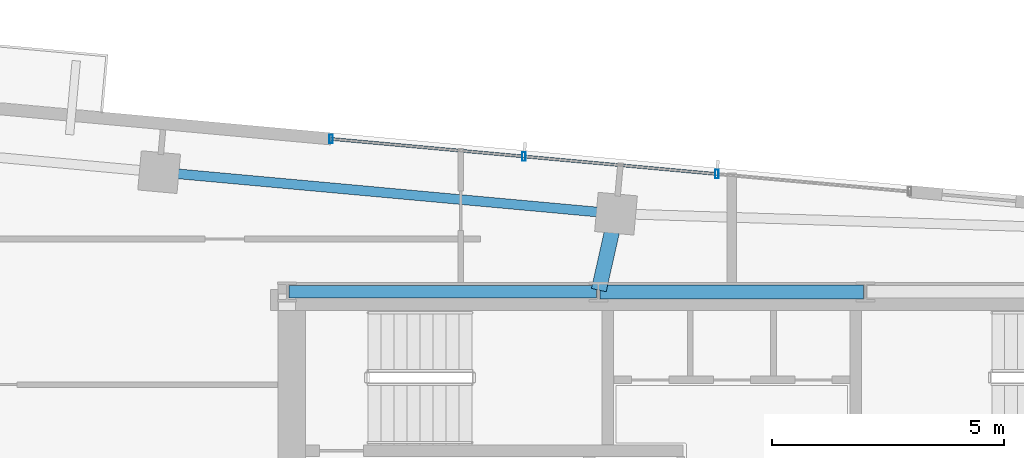
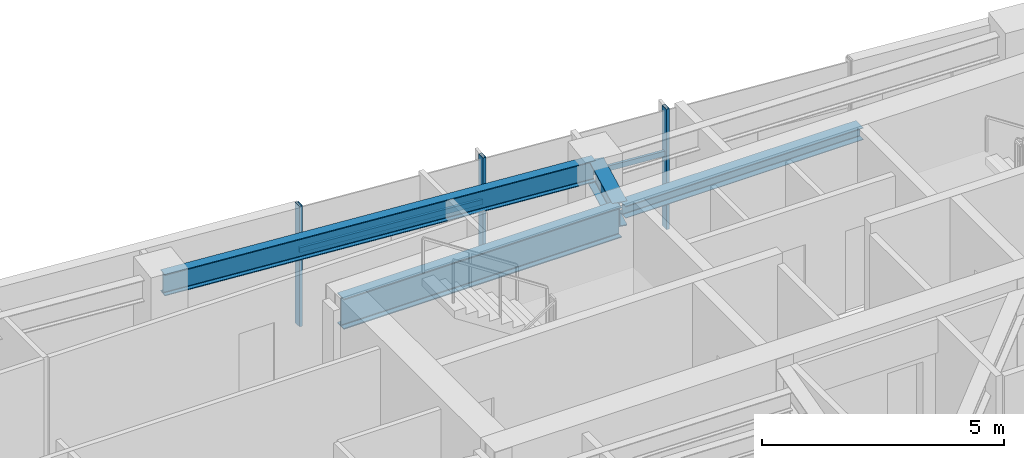
# One storey, part 10 of 22: 5 members, 4 beams, 1 element without a shape of its own.
"""IFC4 building model written with IfcOpenShell, lengths in metres."""

import ifcopenshell
import ifcopenshell.guid

model = None  # the IFC model being written
_history = None  # IfcOwnerHistory: only IFC2X3 demands one
_inside = {}  # id of a spatial element -> (the spatial element, [elements in it])
_under = {}  # id of a project, library or spatial element -> (it, [spatial elements below it])
_declared = {}  # id of a project -> (the project, [libraries it declares])
_typed = {}  # id of a type object -> (the type object, [elements of that type])
_made_of = {}  # id of a material, layer set ... -> (it, [elements and type objects made of it])


def new_model(schema):
    """Start an empty IFC model of exactly this schema.

    Asked for "IFC4X3", IfcOpenShell would pick the latest addendum, in which some entities
    have other attributes; the version numbers below select the first issue.
    IFC2X3 requires an IfcOwnerHistory on every rooted entity: one is made here for all.
    """
    global model, _history
    if schema == "IFC4X3":
        model = ifcopenshell.file(schema_version=(4, 3, 0, 0))
    else:
        model = ifcopenshell.file(schema=schema)
    _inside.clear()
    _under.clear()
    _declared.clear()
    _typed.clear()
    _made_of.clear()
    _history = None
    if model.schema == "IFC2X3":
        org = make("IfcOrganization", Name="unknown")
        user = make(
            "IfcPersonAndOrganization",
            ThePerson=make("IfcPerson", FamilyName="unknown"),
            TheOrganization=org,
        )
        app = make(
            "IfcApplication",
            ApplicationDeveloper=org,
            Version="unknown",
            ApplicationFullName="unknown",
            ApplicationIdentifier="unknown",
        )
        _history = make(
            "IfcOwnerHistory",
            OwningUser=user,
            OwningApplication=app,
            ChangeAction="ADDED",
            CreationDate=0,
        )
    return model


def make(cls, **values):
    """One entity of the class cls with the attributes given. An attribute that is None is left unset."""
    return model.create_entity(
        cls, **{name: value for name, value in values.items() if value is not None}
    )


def rooted(cls, **values):
    """An entity with a GlobalId (a new one), such as an element, a storey or a relation."""
    return make(cls, GlobalId=ifcopenshell.guid.new(), OwnerHistory=_history, **values)


def si_unit(unit_type, name, prefix=None):
    """IfcSIUnit, for example si_unit("LENGTHUNIT", "METRE", prefix="MILLI")."""
    return make("IfcSIUnit", UnitType=unit_type, Prefix=prefix, Name=name)


def assignment(units):
    """IfcUnitAssignment: the units of a project."""
    return None if units is None else make("IfcUnitAssignment", Units=units)


def point(xyz):
    """IfcCartesianPoint."""
    return None if xyz is None else make("IfcCartesianPoint", Coordinates=xyz)


def direction(xyz):
    """IfcDirection."""
    return None if xyz is None else make("IfcDirection", DirectionRatios=xyz)


def frame(location, z_axis=None, x_axis=None):
    """IfcAxis2Placement3D, a coordinate frame: its origin and axes. An axis left out is left unset."""
    return make(
        "IfcAxis2Placement3D",
        Location=point(location),
        Axis=direction(z_axis),
        RefDirection=direction(x_axis),
    )


def frame_2d(location, x_axis=None):
    """IfcAxis2Placement2D, a coordinate frame in the plane: its origin and x axis."""
    return make(
        "IfcAxis2Placement2D", Location=point(location), RefDirection=direction(x_axis)
    )


def origin():
    """The frame at (0, 0, 0) with its axes left unset."""
    return frame((0.0, 0.0, 0.0))


def origin_2d():
    """The frame at (0, 0) in the plane with its x axis left unset."""
    return frame_2d((0.0, 0.0))


def place(relative_to, where):
    """IfcLocalPlacement: puts the frame where relative to a parent placement (None: the world)."""
    return make(
        "IfcLocalPlacement", PlacementRelTo=relative_to, RelativePlacement=where
    )


def context(
    kind, dimensions, precision=None, world=None, true_north=None, identifier=None
):
    """IfcGeometricRepresentationContext, for example the 3D "Model" context."""
    return make(
        "IfcGeometricRepresentationContext",
        ContextIdentifier=identifier,
        ContextType=kind,
        CoordinateSpaceDimension=dimensions,
        Precision=precision,
        WorldCoordinateSystem=world,
        TrueNorth=true_north,
    )


def subcontext(parent, identifier, kind, view, scale=None):
    """IfcGeometricRepresentationSubContext, for example "Body" below "Model"."""
    return make(
        "IfcGeometricRepresentationSubContext",
        ContextIdentifier=identifier,
        ContextType=kind,
        ParentContext=parent,
        TargetScale=scale,
        TargetView=view,
    )


def project(units=None, contexts=None):
    """IfcProject with its units and contexts."""
    return rooted(
        "IfcProject",
        Name="project",
        RepresentationContexts=contexts,
        UnitsInContext=assignment(units),
    )


def spatial(cls, under=None, at=None, **own):
    """A site, building, storey or space (cls), placed at a placement, below another one or the project."""
    s = rooted(cls, ObjectPlacement=at, **own)
    if under is not None:
        _under.setdefault(under.id(), (under, []))[1].append(s)
    return s


def profile(cls, at=None, kind="AREA", **sizes):
    """A parametric profile (cls). Its sizes go by their IFC names, for example OverallWidth=200.0."""
    return make(cls, ProfileType=kind, Position=at, **sizes)


def hollow_rectangle(**sizes):
    """IfcRectangleHollowProfileDef."""
    return profile("IfcRectangleHollowProfileDef", **sizes)


def i_section(**sizes):
    """IfcIShapeProfileDef."""
    return profile("IfcIShapeProfileDef", **sizes)


def extrude(swept, where, along, depth):
    """IfcExtrudedAreaSolid: the profile swept, set in the frame where, extruded along a direction by depth."""
    return make(
        "IfcExtrudedAreaSolid",
        SweptArea=swept,
        Position=where,
        ExtrudedDirection=direction(along),
        Depth=depth,
    )


def shape(context_of_items, identifier, shape_type, items):
    """IfcShapeRepresentation: the items that make up one representation, for example the "Body"."""
    return make(
        "IfcShapeRepresentation",
        ContextOfItems=context_of_items,
        RepresentationIdentifier=identifier,
        RepresentationType=shape_type,
        Items=items,
    )


def source(mapping_origin, context_of_items, identifier, shape_type, items):
    """IfcRepresentationMap: a shape defined once, which mapped items show again and again."""
    return make(
        "IfcRepresentationMap",
        MappingOrigin=mapping_origin,
        MappedRepresentation=shape(context_of_items, identifier, shape_type, items),
    )


def transform(
    local_origin,
    x_axis=None,
    y_axis=None,
    z_axis=None,
    scale=None,
    scale2=None,
    scale3=None,
    uniform=True,
):
    """IfcCartesianTransformationOperator3D, or its non-uniform kind. x_axis, y_axis, z_axis: its Axis1, 2, 3."""
    if uniform:
        return make(
            "IfcCartesianTransformationOperator3D",
            Axis1=direction(x_axis),
            Axis2=direction(y_axis),
            LocalOrigin=point(local_origin),
            Scale=scale,
            Axis3=direction(z_axis),
        )
    return make(
        "IfcCartesianTransformationOperator3DnonUniform",
        Axis1=direction(x_axis),
        Axis2=direction(y_axis),
        LocalOrigin=point(local_origin),
        Scale=scale,
        Axis3=direction(z_axis),
        Scale2=scale2,
        Scale3=scale3,
    )


def mapped(mapping_source, mapping_target):
    """IfcMappedItem: shows the shape of a source again, moved by a transform."""
    return make(
        "IfcMappedItem", MappingSource=mapping_source, MappingTarget=mapping_target
    )


def material(Name=None, Category=None):
    """IfcMaterial."""
    return make("IfcMaterial", Name=Name, Category=Category)


def material_profile(
    of_material, cross_section, Name=None, Category=None, Priority=None
):
    """IfcMaterialProfile: a cross section and its material."""
    return make(
        "IfcMaterialProfile",
        Name=Name,
        Material=of_material,
        Profile=cross_section,
        Priority=Priority,
        Category=Category,
    )


def profile_set(profiles, Name=None, composite=None):
    """IfcMaterialProfileSet."""
    return make(
        "IfcMaterialProfileSet",
        Name=Name,
        MaterialProfiles=profiles,
        CompositeProfile=composite,
    )


def made_of(thing, what):
    """Note that an element or type object is made of a material, layer set ...; save() writes the relation."""
    if what is not None:
        _made_of.setdefault(what.id(), (what, []))[1].append(thing)
    return thing


def type_object(cls, material=None, **own):
    """A type object (cls), such as IfcWallType, which elements share."""
    return made_of(rooted(cls, **own), material)


def type_shapes(of_type, sources):
    """Give a type object the sources (RepresentationMaps) that its elements show as mapped items."""
    of_type.RepresentationMaps = sources


def element(
    cls,
    number,
    at=None,
    inside=None,
    cuts=None,
    type_object=None,
    material=None,
    context=None,
    identifier="Body",
    shape_type=None,
    held_by="IfcProductDefinitionShape",
    body=None,
    shapes=None,
    **own,
):
    """One element of the class cls, such as IfcWall. Its Tag is "e" and its number.

    at: its placement. inside: the storey or other place that contains it. cuts: it is an
    opening in that element (IfcRelVoidsElement). A single representation is given by context,
    identifier, shape_type and body (its items); several are given by shapes. held_by: the class
    of the entity that holds the representations. save() writes the other relations.
    """
    e = rooted(cls, Tag="e%d" % number, ObjectPlacement=at, **own)
    if body is not None:
        shapes = [shape(context, identifier, shape_type, body)]
    if shapes is not None:
        e.Representation = make(held_by, Representations=shapes)
    if inside is not None:
        _inside.setdefault(inside.id(), (inside, []))[1].append(e)
    if cuts is not None:
        rooted(
            "IfcRelVoidsElement", RelatingBuildingElement=cuts, RelatedOpeningElement=e
        )
    if type_object is not None:
        _typed.setdefault(type_object.id(), (type_object, []))[1].append(e)
    return made_of(e, material)


def aggregate(whole, parts):
    """IfcRelAggregates: a whole, such as a stair, and the parts it consists of."""
    return rooted("IfcRelAggregates", RelatingObject=whole, RelatedObjects=parts)


def save(model, path):
    """Write the relations noted so far, then the file.

    IfcRelAggregates (storeys below a building ...), IfcRelContainedInSpatialStructure (elements
    in a storey), IfcRelDefinesByType, IfcRelAssociatesMaterial and IfcRelDeclares: one each for
    every whole, place, type object, material and project.
    """
    for whole, parts in _under.values():
        aggregate(whole, parts)
    for where, things in _inside.values():
        rooted(
            "IfcRelContainedInSpatialStructure",
            RelatedElements=things,
            RelatingStructure=where,
        )
    for kind, things in _typed.values():
        rooted("IfcRelDefinesByType", RelatedObjects=things, RelatingType=kind)
    for what, things in _made_of.values():
        rooted("IfcRelAssociatesMaterial", RelatedObjects=things, RelatingMaterial=what)
    for by, libraries in _declared.values():
        rooted("IfcRelDeclares", RelatingContext=by, RelatedDefinitions=libraries)
    model.write(path)


model = new_model("IFC4")

# Units and contexts
model_context = context("Model", 3, precision=1e-05, world=origin(), true_north=direction((0.0, 1.0)))
body_context = subcontext(model_context, "Body", "Model", "MODEL_VIEW")
ifc_project = project(units=[si_unit("LENGTHUNIT", "METRE"), si_unit("AREAUNIT", "SQUARE_METRE"), si_unit("VOLUMEUNIT", "CUBIC_METRE"), si_unit("PLANEANGLEUNIT", "RADIAN"), si_unit("MASSUNIT", "GRAM", prefix="KILO")], contexts=[model_context])

# Site, building, storey
site_placement = place(None, origin())
site = spatial("IfcSite", under=ifc_project, at=site_placement, CompositionType="ELEMENT")
building_placement = place(site_placement, origin())
building = spatial("IfcBuilding", under=site, at=building_placement, Name="Astriad Promenade Condominiums", CompositionType="ELEMENT")
storey_placement = place(building_placement, frame((0.0, 0.0, 219.89990234375)))
storey = spatial("IfcBuildingStorey", under=building, at=storey_placement, Name="L63", CompositionType="ELEMENT", Elevation=219.89990234375)

# Beams
ifc_material_1 = material(Name="Steel ASTM A992 Grade 50", Category="steel")
ifc_material_profile_1 = material_profile(ifc_material_1, i_section(OverallWidth=0.267822265625, OverallDepth=0.76953125, WebThickness=0.015625, FlangeThickness=0.025390625, FilletRadius=0.021484375, at=origin_2d()), Name="W30X132")
ifc_profile_set_1 = profile_set([ifc_material_profile_1], Name="Steel ASTM A992 Grade 50")
beam_type_1 = type_object("IfcBeamType", Name="STEEL FLOOR GIRDER W30X132", PredefinedType="BEAM", material=ifc_profile_set_1)
shared_shape_1 = source(origin(), body_context, "Body", "SweptSolid", [
    extrude(i_section(OverallWidth=0.267822265625, OverallDepth=0.76953125, WebThickness=0.015625, FlangeThickness=0.025390625, FilletRadius=0.021484375, at=origin_2d()), origin(), (0.0, 0.0, 1.0), 6.64013671875),
])
type_shapes(beam_type_1, [shared_shape_1])
beam_1_placement = place(storey_placement, frame((26.43994140625, 24.0, 2.6552734375), z_axis=(1.0, 0.0, 0.0), x_axis=(0.0, 1.0, 0.0)))
element("IfcBeam", 1, at=beam_1_placement, inside=storey, type_object=beam_type_1, Name="Core Ring Beam CG-N1-L63", PredefinedType="BEAM", context=body_context, shape_type="MappedRepresentation", body=[
    mapped(shared_shape_1, transform((0.0, 0.0, 0.0), scale=1.0)),
])
ifc_material_profile_2 = material_profile(ifc_material_1, i_section(OverallWidth=0.3046875, OverallDepth=0.307861328125, WebThickness=0.010009765625, FlangeThickness=0.015380859375, FilletRadius=0.01513671875, at=origin_2d()), Name="W12X65")
ifc_profile_set_2 = profile_set([ifc_material_profile_2], Name="Steel ASTM A992 Grade 50")
beam_type_2 = type_object("IfcBeamType", Name="STEEL OPENING LINTEL W12X65", PredefinedType="LINTEL", material=ifc_profile_set_2)
shared_shape_2 = source(origin(), body_context, "Body", "SweptSolid", [
    extrude(i_section(OverallWidth=0.3046875, OverallDepth=0.307861328125, WebThickness=0.010009765625, FlangeThickness=0.015380859375, FilletRadius=0.01513671875, at=origin_2d()), origin(), (0.0, 0.0, 1.0), 5.68017578125),
])
type_shapes(beam_type_2, [shared_shape_2])
beam_2_placement = place(storey_placement, frame((33.159912109375, 24.0, 2.88623046875), z_axis=(1.0, 0.0, 0.0), x_axis=(0.0, 1.0, 0.0)))
element("IfcBeam", 2, at=beam_2_placement, inside=storey, type_object=beam_type_2, Name="Core Ring Beam CG-N2-L63", PredefinedType="LINTEL", context=body_context, shape_type="MappedRepresentation", body=[
    mapped(shared_shape_2, transform((0.0, 0.0, 0.0), scale=1.0)),
])
ifc_material_profile_3 = material_profile(ifc_material_1, i_section(OverallWidth=0.210693359375, OverallDepth=0.53955078125, WebThickness=0.01171875, FlangeThickness=0.018798828125, FilletRadius=0.0166015625, at=origin_2d()), Name="W21X73")
ifc_profile_set_3 = profile_set([ifc_material_profile_3], Name="Steel ASTM A992 Grade 50")
beam_type_3 = type_object("IfcBeamType", Name="STEEL SPANDREL BEAM W21X73", PredefinedType="SPANDREL", material=ifc_profile_set_3)
shared_shape_3 = source(origin(), body_context, "Body", "SweptSolid", [
    extrude(i_section(OverallWidth=0.210693359375, OverallDepth=0.53955078125, WebThickness=0.01171875, FlangeThickness=0.018798828125, FilletRadius=0.0166015625, at=origin_2d()), origin(), (0.0, 0.0, 1.0), 9.820068359375),
])
type_shapes(beam_type_3, [shared_shape_3])
beam_3_placement = place(storey_placement, frame((33.4599609375, 25.69189453125, 2.7705078125), z_axis=(-0.995885663174, 0.090618683965, 0.0), x_axis=(-0.090618683965, -0.995885663174, 0.0)))
element("IfcBeam", 3, at=beam_3_placement, inside=storey, type_object=beam_type_3, Name="Perimeter Spandrel Beam SP-N2-L63", PredefinedType="SPANDREL", context=body_context, shape_type="MappedRepresentation", body=[
    mapped(shared_shape_3, transform((0.0, 0.0, 0.0), scale=1.0)),
])
ifc_material_profile_4 = material_profile(ifc_material_1, i_section(OverallWidth=0.326416015625, OverallDepth=0.621826171875, WebThickness=0.015380859375, FlangeThickness=0.0244140625, FilletRadius=0.017822265625, at=origin_2d()), Name="W24X131")
ifc_profile_set_4 = profile_set([ifc_material_profile_4], Name="Steel ASTM A992 Grade 50")
beam_type_4 = type_object("IfcBeamType", Name="STEEL FLOOR GIRDER W24X131", PredefinedType="BEAM", material=ifc_profile_set_4)
shared_shape_4 = source(origin(), body_context, "Body", "SweptSolid", [
    extrude(i_section(OverallWidth=0.326416015625, OverallDepth=0.621826171875, WebThickness=0.015380859375, FlangeThickness=0.0244140625, FilletRadius=0.017822265625, at=origin_2d()), origin(), (0.0, 0.0, 1.0), 1.650390625),
])
type_shapes(beam_type_4, [shared_shape_4])
beam_4_placement = place(storey_placement, frame((33.490966796875, 25.649169921875, 2.729248046875), z_axis=(-0.219388986766, -0.975637469804, 0.0), x_axis=(0.975637469804, -0.219388986766, 0.0)))
element("IfcBeam", 4, at=beam_4_placement, inside=storey, type_object=beam_type_4, Name="Primary Floor Girder PG-NC-L63", PredefinedType="BEAM", context=body_context, shape_type="MappedRepresentation", body=[
    mapped(shared_shape_4, transform((0.0, 0.0, 0.0), scale=1.0)),
])

# Curtain wall, members
ifc_material_2 = material(Name="Anodised aluminium Black Dark Glass Unitised", Category="aluminium")
curtain_wall_type = type_object("IfcCurtainWallType", Name="CW-B5-DARK", PredefinedType="USERDEFINED", material=ifc_material_2)
curtain_wall_placement = place(storey_placement, origin())
curtain_wall = element("IfcCurtainWall", 5, at=curtain_wall_placement, inside=storey, type_object=curtain_wall_type, Name="CW-L63-N", ObjectType="UNITISED_CURTAIN_WALL", PredefinedType="USERDEFINED")
ifc_material_3 = material(Name="Anodised aluminium 6063-T6 Black", Category="aluminium")
ifc_material_profile_5 = material_profile(ifc_material_3, hollow_rectangle(XDim=0.06494140625, YDim=0.1298828125, WallThickness=0.00390625, at=origin_2d()), Name="ALU-TRN-65X130")
ifc_profile_set_5 = profile_set([ifc_material_profile_5], Name="Anodised aluminium 6063-T6 Black")
member_type_1 = type_object("IfcMemberType", Name="TRN-ALU-TRN-65X130", PredefinedType="USERDEFINED", material=ifc_profile_set_5)
shared_shape_5 = source(origin(), body_context, "Body", "SweptSolid", [
    extrude(hollow_rectangle(XDim=0.06494140625, YDim=0.1298828125, WallThickness=0.00390625, at=origin_2d()), origin(), (0.0, 0.0, 1.0), 4.179931640625),
])
type_shapes(member_type_1, [shared_shape_5])
member_1_placement = place(storey_placement, frame((27.3505859375, 27.30224609375, 1.885009765625), z_axis=(0.995883146811, -0.090646334165, 0.0), x_axis=(0.090646334165, 0.995883146811, 0.0)))
member_1 = element("IfcMember", 6, at=member_1_placement, type_object=member_type_1, Name="CW-L63-N-TRN-00-0", ObjectType="TRANSOM", PredefinedType="USERDEFINED", context=body_context, shape_type="MappedRepresentation", body=[
    mapped(shared_shape_5, transform((0.0, 0.0, 0.0), scale=1.0)),
])
member_2_placement = place(storey_placement, frame((31.513427734375, 26.92333984375, 1.885009765625), z_axis=(0.995883146811, -0.090646334165, 0.0), x_axis=(0.090646334165, 0.995883146811, 0.0)))
member_2 = element("IfcMember", 7, at=member_2_placement, type_object=member_type_1, Name="CW-L63-N-TRN-01-0", ObjectType="TRANSOM", PredefinedType="USERDEFINED", context=body_context, shape_type="MappedRepresentation", body=[
    mapped(shared_shape_5, transform((0.0, 0.0, 0.0), scale=1.0)),
])
ifc_material_profile_6 = material_profile(ifc_material_3, hollow_rectangle(XDim=0.074951171875, YDim=0.18505859375, WallThickness=0.00439453125, at=origin_2d()), Name="ALU-MUL-75X185")
ifc_profile_set_6 = profile_set([ifc_material_profile_6], Name="Anodised aluminium 6063-T6 Black")
member_type_2 = type_object("IfcMemberType", Name="MUL-ALU-MUL-75X185", PredefinedType="MULLION", material=ifc_profile_set_6)
shared_shape_6 = source(origin(), body_context, "Body", "SweptSolid", [
    extrude(hollow_rectangle(XDim=0.074951171875, YDim=0.18505859375, WallThickness=0.00439453125, at=origin_2d()), origin(), (0.0, 0.0, 1.0), 3.0400390625),
])
type_shapes(member_type_2, [shared_shape_6])
member_3_placement = place(storey_placement, frame((27.3505859375, 27.30224609375, 0.0), z_axis=(0.0, 0.0, 1.0), x_axis=(1.0, 0.0, 0.0)))
member_3 = element("IfcMember", 8, at=member_3_placement, type_object=member_type_2, Name="CW-L63-N-MUL-00", PredefinedType="MULLION", context=body_context, shape_type="MappedRepresentation", body=[
    mapped(shared_shape_6, transform((0.0, 0.0, 0.0), scale=1.0)),
])
member_4_placement = place(storey_placement, frame((31.513427734375, 26.92333984375, 0.0), z_axis=(0.0, 0.0, 1.0), x_axis=(1.0, 0.0, 0.0)))
member_4 = element("IfcMember", 9, at=member_4_placement, type_object=member_type_2, Name="CW-L63-N-MUL-01", PredefinedType="MULLION", context=body_context, shape_type="MappedRepresentation", body=[
    mapped(shared_shape_6, transform((0.0, 0.0, 0.0), scale=1.0)),
])
member_5_placement = place(storey_placement, frame((35.67626953125, 26.54443359375, 0.0), z_axis=(0.0, 0.0, 1.0), x_axis=(1.0, 0.0, 0.0)))
member_5 = element("IfcMember", 10, at=member_5_placement, type_object=member_type_2, Name="CW-L63-N-MUL-02", PredefinedType="MULLION", context=body_context, shape_type="MappedRepresentation", body=[
    mapped(shared_shape_6, transform((0.0, 0.0, 0.0), scale=1.0)),
])
aggregate(curtain_wall, [member_3, member_4, member_5, member_1, member_2])

save(model, "model.ifc")
